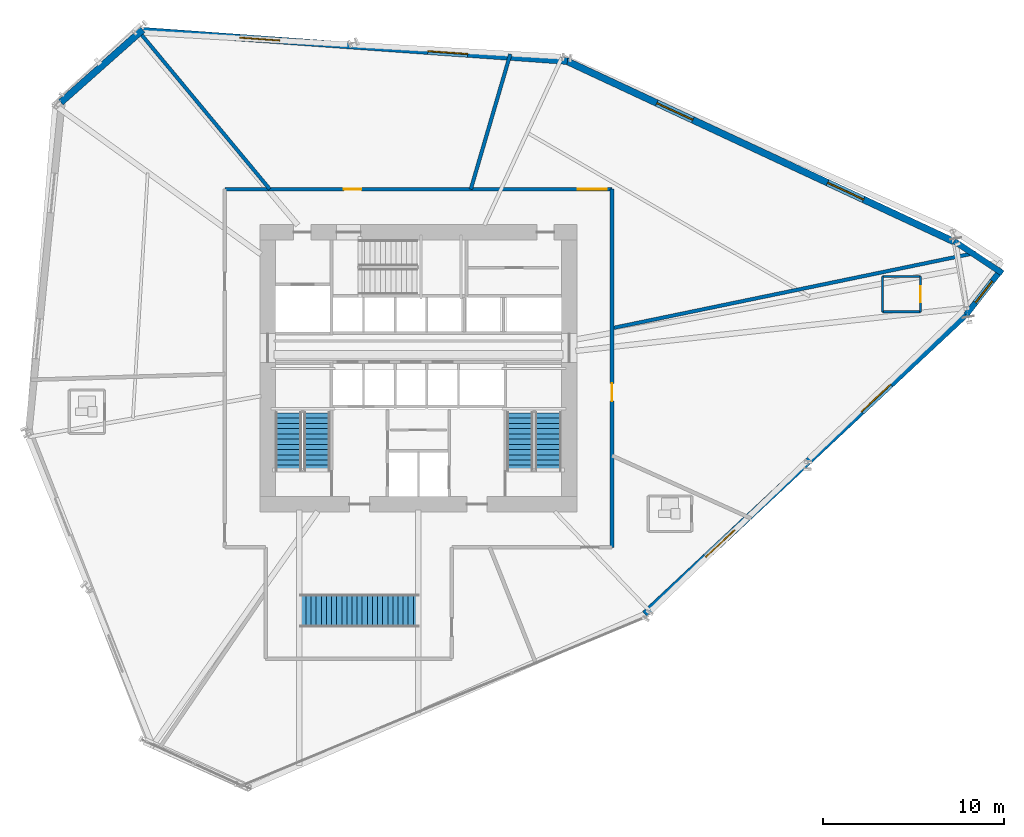
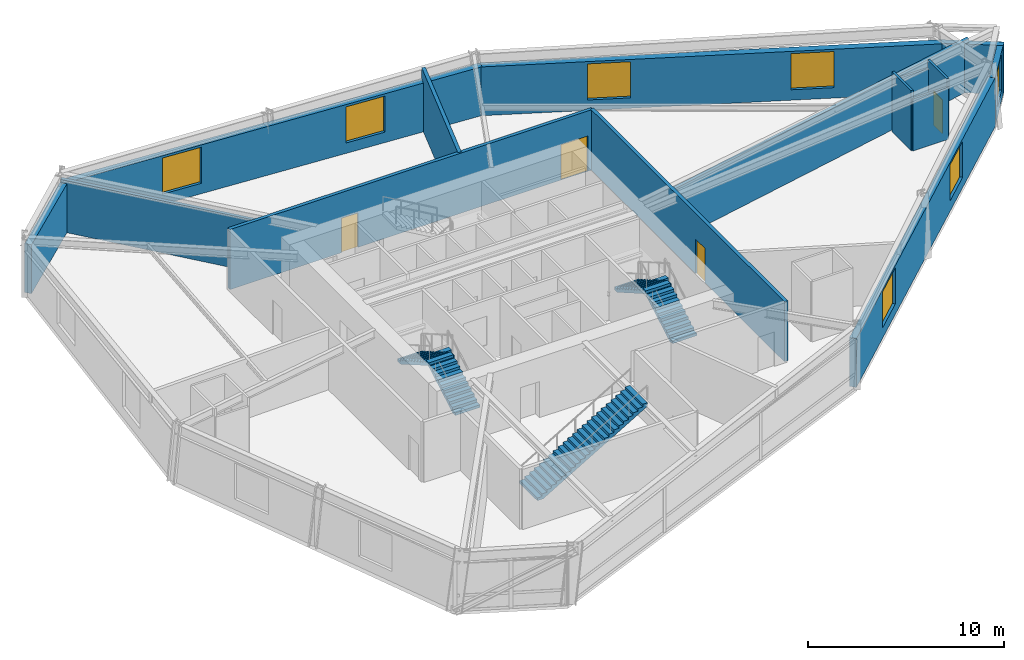
# One storey, part 15 of 19: 15 walls, 7 windows, 5 stair flights, 4 doors, 11 openings, 3 elements without a shape of their own.
"""IFC4 building model written with IfcOpenShell, lengths in metres."""

from ifc_helpers import new_model, si_unit, direction, frame, frame_2d, origin, place, context, subcontext, project, spatial, polyline, rectangle, outline, extrude, source, transform, mapped, material, layer, layer_set, type_object, type_shapes, element, fill, aggregate, save


model = new_model("IFC4")

# Units and contexts
model_context = context("Model", 3, precision=1e-05, world=origin(), true_north=direction((0.0, 1.0)))
body_context = subcontext(model_context, "Body", "Model", "MODEL_VIEW")
ifc_project = project(units=[si_unit("LENGTHUNIT", "METRE"), si_unit("AREAUNIT", "SQUARE_METRE"), si_unit("VOLUMEUNIT", "CUBIC_METRE"), si_unit("PLANEANGLEUNIT", "RADIAN"), si_unit("MASSUNIT", "GRAM", prefix="KILO")], contexts=[model_context])

# Site, building, storey
site_placement = place(None, origin())
site = spatial("IfcSite", under=ifc_project, at=site_placement, CompositionType="ELEMENT")
building_placement = place(site_placement, origin())
building = spatial("IfcBuilding", under=site, at=building_placement, Name="Olszyna Solenne Hotel", CompositionType="ELEMENT")
storey_placement = place(building_placement, frame((0.0, 0.0, 71.89990234375)))
storey = spatial("IfcBuildingStorey", under=building, at=storey_placement, Name="L18", CompositionType="ELEMENT", Elevation=71.89990234375)

# Wall
ifc_material_1 = material(Name="Precast concrete C45/55", Category="concrete")
ifc_layer_1 = layer(ifc_material_1, 0.320068359375, Name="Precast concrete C45/55")
ifc_layer_set_1 = layer_set([ifc_layer_1], Name="Precast concrete C45/55")
wall_type_1 = type_object("IfcWallType", Name="WL-EX320", PredefinedType="SOLIDWALL", material=ifc_layer_set_1)
wall_1_placement = place(storey_placement, frame((67.60791015625, 33.629638671875, 0.0), z_axis=(0.0, 0.0, 1.0), x_axis=(0.831757330832, -0.55513939025, 0.0)))
element("IfcWall", 1, at=wall_1_placement, inside=storey, type_object=wall_type_1, Name="Exterior terracotta-precast frame wall WL-EX320 EW-L18-08", PredefinedType="SOLIDWALL", context=body_context, shape_type="SweptSolid", body=[
    extrude(rectangle(XDim=3.20654296875, YDim=0.320068359375, at=frame_2d((1.603271484375, 0.0))), origin(), (0.0, 0.0, 1.0), 3.0419921875),
])

# Wall, opening, window
wall_2_placement = place(storey_placement, frame((70.23779296875, 32.081298828125, 0.0), z_axis=(0.0, 0.0, 1.0), x_axis=(-0.615310089373, -0.788285160279, 0.0)))
wall_2 = element("IfcWall", 2, at=wall_2_placement, inside=storey, type_object=wall_type_1, Name="Exterior terracotta-precast frame wall WL-EX320 EW-L18-09", PredefinedType="SOLIDWALL", context=body_context, shape_type="SweptSolid", body=[
    extrude(rectangle(XDim=3.206787109375, YDim=0.320068359375, at=frame_2d((1.603515625, 0.0))), origin(), (0.0, 0.0, 1.0), 3.0419921875),
])
opening_1_placement = place(wall_2_placement, frame((0.85302734375, 0.0, 0.6220703125)))
opening_1 = element("IfcOpeningElement", 3, at=opening_1_placement, cuts=wall_2, Name="Opening WN-L18-093", PredefinedType="OPENING", context=body_context, shape_type="SweptSolid", body=[
    extrude(rectangle(XDim=1.5, YDim=2.300048828125, at=frame_2d((0.75, 1.14990234375))), frame((0.0, 0.169921875, 0.0), z_axis=(0.0, -1.0, 0.0), x_axis=(1.0, 0.0, 0.0)), (0.0, 0.0, 1.0), 0.340087890625),
])
ifc_material_2 = material(Name="Low-E triple glazing", Category="glass")
window_type_1 = type_object("IfcWindowType", Name="WN-CH1", PartitioningType="SINGLE_PANEL", PredefinedType="WINDOW", material=ifc_material_2)
shared_shape_1 = source(origin(), body_context, "Body", "SweptSolid", [
    extrude(rectangle(XDim=1.5, YDim=2.300048828125, at=frame_2d((0.75, 1.14990234375))), frame((0.0, 0.030029296875, 0.0), z_axis=(0.0, -1.0, 0.0), x_axis=(1.0, 0.0, 0.0)), (0.0, 0.0, 1.0), 0.06005859375),
])
type_shapes(window_type_1, [shared_shape_1])
window_1_placement = place(opening_1_placement, origin())
window_1 = element("IfcWindow", 4, at=window_1_placement, inside=storey, type_object=window_type_1, Name="Exterior facade window WN-CH1 WN-L18-093", OverallHeight=2.300048828125, OverallWidth=1.5, PartitioningType="SINGLE_PANEL", PredefinedType="WINDOW", context=body_context, shape_type="MappedRepresentation", body=[
    mapped(shared_shape_1, transform((0.0, 0.0, 0.0), x_axis=(1.0, 0.0, 0.0), y_axis=(0.0, 1.0, 0.0), z_axis=(0.0, 0.0, 1.0), scale=1.0)),
])
fill(opening_1, window_1)

# Wall
ifc_material_3 = material(Name="Terracotta cladding on precast concrete C45/55", Category="masonry")
ifc_layer_2 = layer(ifc_material_3, 0.3798828125, Name="Terracotta cladding on precast concrete C45/55")
ifc_layer_set_2 = layer_set([ifc_layer_2], Name="Terracotta cladding on precast concrete C45/55")
wall_type_2 = type_object("IfcWallType", Name="WL-EX380", PredefinedType="SOLIDWALL", material=ifc_layer_set_2)
wall_3_placement = place(storey_placement, frame((18.23583984375, 41.299072265625, 0.0), z_axis=(0.0, 0.0, 1.0), x_axis=(0.747770050528, 0.663957793488, 0.0)))
element("IfcWall", 5, at=wall_3_placement, inside=storey, type_object=wall_type_2, Name="Exterior terracotta-precast frame wall WL-EX380 EW-L18-05", PredefinedType="SOLIDWALL", context=body_context, shape_type="SweptSolid", body=[
    extrude(rectangle(XDim=6.04736328125, YDim=0.3798828125, at=frame_2d((3.023681640625, 0.0))), origin(), (0.0, 0.0, 1.0), 3.0419921875),
])

# Wall, openings, windows
wall_4_placement = place(storey_placement, frame((22.6181640625, 45.266845703125, 0.0), z_axis=(0.0, 0.0, 1.0), x_axis=(0.997450631022, -0.071359923443, 0.0)))
wall_4 = element("IfcWall", 6, at=wall_4_placement, inside=storey, type_object=wall_type_2, Name="Exterior terracotta-precast frame wall WL-EX380 EW-L18-06", PredefinedType="SOLIDWALL", context=body_context, shape_type="SweptSolid", body=[
    extrude(rectangle(XDim=23.671630859375, YDim=0.3798828125, at=frame_2d((11.8359375, 0.0))), origin(), (0.0, 0.0, 1.0), 3.0419921875),
])
opening_2_placement = place(wall_4_placement, frame((5.528076171875, 0.0, 0.64990234375)))
opening_2 = element("IfcOpeningElement", 7, at=opening_2_placement, cuts=wall_4, Name="Opening WN-L18-089", PredefinedType="OPENING", context=body_context, shape_type="SweptSolid", body=[
    extrude(rectangle(XDim=2.199951171875, YDim=2.25, at=frame_2d((1.10009765625, 1.125))), frame((0.0, 0.199951171875, 0.0), z_axis=(0.0, -1.0, 0.0), x_axis=(1.0, 0.0, 0.0)), (0.0, 0.0, 1.0), 0.39990234375),
])
opening_3_placement = place(wall_4_placement, frame((15.944091796875, 0.0, 0.64990234375)))
opening_3 = element("IfcOpeningElement", 8, at=opening_3_placement, cuts=wall_4, Name="Opening WN-L18-090", PredefinedType="OPENING", context=body_context, shape_type="SweptSolid", body=[
    extrude(rectangle(XDim=2.199951171875, YDim=2.25, at=frame_2d((1.10009765625, 1.125))), frame((0.0, 0.199951171875, 0.0), z_axis=(0.0, -1.0, 0.0), x_axis=(1.0, 0.0, 0.0)), (0.0, 0.0, 1.0), 0.39990234375),
])
window_type_2 = type_object("IfcWindowType", Name="WN-HT2", PartitioningType="SINGLE_PANEL", PredefinedType="WINDOW", material=ifc_material_2)
shared_shape_2 = source(origin(), body_context, "Body", "SweptSolid", [
    extrude(rectangle(XDim=2.199951171875, YDim=2.25, at=frame_2d((1.10009765625, 1.125))), frame((0.0, 0.030029296875, 0.0), z_axis=(0.0, -1.0, 0.0), x_axis=(1.0, 0.0, 0.0)), (0.0, 0.0, 1.0), 0.06005859375),
])
type_shapes(window_type_2, [shared_shape_2])
window_2_placement = place(opening_2_placement, origin())
window_2 = element("IfcWindow", 9, at=window_2_placement, inside=storey, type_object=window_type_2, Name="Exterior facade window WN-HT2 WN-L18-089", OverallHeight=2.25, OverallWidth=2.199951171875, PartitioningType="SINGLE_PANEL", PredefinedType="WINDOW", context=body_context, shape_type="MappedRepresentation", body=[
    mapped(shared_shape_2, transform((0.0, 0.0, 0.0), x_axis=(1.0, 0.0, 0.0), y_axis=(0.0, 1.0, 0.0), z_axis=(0.0, 0.0, 1.0), scale=1.0)),
])
fill(opening_2, window_2)
window_3_placement = place(opening_3_placement, origin())
window_3 = element("IfcWindow", 10, at=window_3_placement, inside=storey, type_object=window_type_2, Name="Exterior facade window WN-HT2 WN-L18-090", OverallHeight=2.25, OverallWidth=2.199951171875, PartitioningType="SINGLE_PANEL", PredefinedType="WINDOW", context=body_context, shape_type="MappedRepresentation", body=[
    mapped(shared_shape_2, transform((0.0, 0.0, 0.0), x_axis=(1.0, 0.0, 0.0), y_axis=(0.0, 1.0, 0.0), z_axis=(0.0, 0.0, 1.0), scale=1.0)),
])
fill(opening_3, window_3)

wall_5_placement = place(storey_placement, frame((46.16259765625, 43.594970703125, 0.0), z_axis=(0.0, 0.0, 1.0), x_axis=(0.906302989161, -0.422628550667, 0.0)))
wall_5 = element("IfcWall", 11, at=wall_5_placement, inside=storey, type_object=wall_type_2, Name="Exterior terracotta-precast frame wall WL-EX380 EW-L18-07", PredefinedType="SOLIDWALL", context=body_context, shape_type="SweptSolid", body=[
    extrude(rectangle(XDim=23.671875, YDim=0.3798828125, at=frame_2d((11.8359375, 0.0))), origin(), (0.0, 0.0, 1.0), 3.0419921875),
])
opening_4_placement = place(wall_5_placement, frame((5.528076171875, 0.0, 0.64990234375)))
opening_4 = element("IfcOpeningElement", 12, at=opening_4_placement, cuts=wall_5, Name="Opening WN-L18-091", PredefinedType="OPENING", context=body_context, shape_type="SweptSolid", body=[
    extrude(rectangle(XDim=2.199951171875, YDim=2.25, at=frame_2d((1.10009765625, 1.125))), frame((0.0, 0.199951171875, 0.0), z_axis=(0.0, -1.0, 0.0), x_axis=(1.0, 0.0, 0.0)), (0.0, 0.0, 1.0), 0.39990234375),
])
opening_5_placement = place(wall_5_placement, frame((15.944091796875, 0.0, 0.64990234375)))
opening_5 = element("IfcOpeningElement", 13, at=opening_5_placement, cuts=wall_5, Name="Opening WN-L18-092", PredefinedType="OPENING", context=body_context, shape_type="SweptSolid", body=[
    extrude(rectangle(XDim=2.199951171875, YDim=2.25, at=frame_2d((1.10009765625, 1.125))), frame((0.0, 0.199951171875, 0.0), z_axis=(0.0, -1.0, 0.0), x_axis=(1.0, 0.0, 0.0)), (0.0, 0.0, 1.0), 0.39990234375),
])
window_4_placement = place(opening_4_placement, origin())
window_4 = element("IfcWindow", 14, at=window_4_placement, inside=storey, type_object=window_type_2, Name="Exterior facade window WN-HT2 WN-L18-091", OverallHeight=2.25, OverallWidth=2.199951171875, PartitioningType="SINGLE_PANEL", PredefinedType="WINDOW", context=body_context, shape_type="MappedRepresentation", body=[
    mapped(shared_shape_2, transform((0.0, 0.0, 0.0), x_axis=(1.0, 0.0, 0.0), y_axis=(0.0, 1.0, 0.0), z_axis=(0.0, 0.0, 1.0), scale=1.0)),
])
fill(opening_4, window_4)
window_5_placement = place(opening_5_placement, origin())
window_5 = element("IfcWindow", 15, at=window_5_placement, inside=storey, type_object=window_type_2, Name="Exterior facade window WN-HT2 WN-L18-092", OverallHeight=2.25, OverallWidth=2.199951171875, PartitioningType="SINGLE_PANEL", PredefinedType="WINDOW", context=body_context, shape_type="MappedRepresentation", body=[
    mapped(shared_shape_2, transform((0.0, 0.0, 0.0), x_axis=(1.0, 0.0, 0.0), y_axis=(0.0, 1.0, 0.0), z_axis=(0.0, 0.0, 1.0), scale=1.0)),
])
fill(opening_5, window_5)

wall_6_placement = place(storey_placement, frame((68.260986328125, 29.593994140625, 0.0), z_axis=(0.0, 0.0, 1.0), x_axis=(-0.730910825088, -0.682472978051, 0.0)))
wall_6 = element("IfcWall", 16, at=wall_6_placement, inside=storey, type_object=wall_type_2, Name="Exterior terracotta-precast frame wall WL-EX380 EW-L18-10", PredefinedType="SOLIDWALL", context=body_context, shape_type="SweptSolid", body=[
    extrude(rectangle(XDim=24.2841796875, YDim=0.3798828125, at=frame_2d((12.14208984375, 0.0))), origin(), (0.0, 0.0, 1.0), 3.0419921875),
])
opening_6_placement = place(wall_6_placement, frame((5.699951171875, 0.0, 0.64990234375)))
opening_6 = element("IfcOpeningElement", 17, at=opening_6_placement, cuts=wall_6, Name="Opening WN-L18-094", PredefinedType="OPENING", context=body_context, shape_type="SweptSolid", body=[
    extrude(rectangle(XDim=2.199951171875, YDim=2.25, at=frame_2d((1.10009765625, 1.125))), frame((0.0, 0.199951171875, 0.0), z_axis=(0.0, -1.0, 0.0), x_axis=(1.0, 0.0, 0.0)), (0.0, 0.0, 1.0), 0.39990234375),
])
opening_7_placement = place(wall_6_placement, frame((17.485107421875, 0.0, 0.64990234375)))
opening_7 = element("IfcOpeningElement", 18, at=opening_7_placement, cuts=wall_6, Name="Opening WN-L18-095", PredefinedType="OPENING", context=body_context, shape_type="SweptSolid", body=[
    extrude(rectangle(XDim=2.199951171875, YDim=2.25, at=frame_2d((1.10009765625, 1.125))), frame((0.0, 0.199951171875, 0.0), z_axis=(0.0, -1.0, 0.0), x_axis=(1.0, 0.0, 0.0)), (0.0, 0.0, 1.0), 0.39990234375),
])
window_6_placement = place(opening_6_placement, origin())
window_6 = element("IfcWindow", 19, at=window_6_placement, inside=storey, type_object=window_type_2, Name="Exterior facade window WN-HT2 WN-L18-094", OverallHeight=2.25, OverallWidth=2.199951171875, PartitioningType="SINGLE_PANEL", PredefinedType="WINDOW", context=body_context, shape_type="MappedRepresentation", body=[
    mapped(shared_shape_2, transform((0.0, 0.0, 0.0), x_axis=(1.0, 0.0, 0.0), y_axis=(0.0, 1.0, 0.0), z_axis=(0.0, 0.0, 1.0), scale=1.0)),
])
fill(opening_6, window_6)
window_7_placement = place(opening_7_placement, origin())
window_7 = element("IfcWindow", 20, at=window_7_placement, inside=storey, type_object=window_type_2, Name="Exterior facade window WN-HT2 WN-L18-095", OverallHeight=2.25, OverallWidth=2.199951171875, PartitioningType="SINGLE_PANEL", PredefinedType="WINDOW", context=body_context, shape_type="MappedRepresentation", body=[
    mapped(shared_shape_2, transform((0.0, 0.0, 0.0), x_axis=(1.0, 0.0, 0.0), y_axis=(0.0, 1.0, 0.0), z_axis=(0.0, 0.0, 1.0), scale=1.0)),
])
fill(opening_7, window_7)

# Wall, opening, door
ifc_material_4 = material(Name="Acoustic gypsum partition", Category="gypsum")
ifc_layer_3 = layer(ifc_material_4, 0.125, Name="Acoustic gypsum partition")
ifc_layer_set_3 = layer_set([ifc_layer_3], Name="Acoustic gypsum partition")
wall_type_3 = type_object("IfcWallType", Name="WL-PT125", PredefinedType="PARTITIONING", material=ifc_layer_set_3)
wall_7_placement = place(storey_placement, frame((65.748046875, 29.718994140625, 0.0), z_axis=(0.0, 0.0, 1.0), x_axis=(0.0, 1.0, 0.0)))
wall_7 = element("IfcWall", 21, at=wall_7_placement, inside=storey, type_object=wall_type_3, Name="Interior acoustic partition WL-PT125 PW-L18-1039", PredefinedType="PARTITIONING", context=body_context, shape_type="SweptSolid", body=[
    extrude(rectangle(XDim=1.949951171875, YDim=0.125, at=frame_2d((0.97509765625, 0.0))), origin(), (0.0, 0.0, 1.0), 3.75),
])
opening_8_placement = place(wall_7_placement, frame((0.52490234375, 0.0, 0.0)))
opening_8 = element("IfcOpeningElement", 22, at=opening_8_placement, cuts=wall_7, Name="Opening DR-L18-0237", PredefinedType="OPENING", context=body_context, shape_type="SweptSolid", body=[
    extrude(rectangle(XDim=0.89990234375, YDim=2.10009765625, at=frame_2d((0.449951171875, 1.050048828125))), frame((0.0, 0.072509765625, 0.0), z_axis=(0.0, -1.0, 0.0), x_axis=(1.0, 0.0, 0.0)), (0.0, 0.0, 1.0), 0.14501953125),
])
ifc_material_5 = material(Name="Timber hardwood", Category="wood")
door_type_1 = type_object("IfcDoorType", Name="DR-WC1", OperationType="NOTDEFINED", PredefinedType="DOOR", material=ifc_material_5)
shared_shape_3 = source(origin(), body_context, "Body", "SweptSolid", [
    extrude(rectangle(XDim=0.89990234375, YDim=2.10009765625, at=frame_2d((0.449951171875, 1.050048828125))), frame((0.0, 0.02490234375, 0.0), z_axis=(0.0, -1.0, 0.0), x_axis=(1.0, 0.0, 0.0)), (0.0, 0.0, 1.0), 0.050048828125),
])
type_shapes(door_type_1, [shared_shape_3])
door_1_placement = place(opening_8_placement, origin())
door_1 = element("IfcDoor", 23, at=door_1_placement, inside=storey, type_object=door_type_1, Name="En-Suite Bathroom Door DR-L18-0237", OperationType="SINGLE_SWING_LEFT", OverallHeight=2.10009765625, OverallWidth=0.89990234375, PredefinedType="DOOR", context=body_context, shape_type="MappedRepresentation", body=[
    mapped(shared_shape_3, transform((0.0, 0.0, 0.0), x_axis=(1.0, 0.0, 0.0), y_axis=(0.0, 1.0, 0.0), z_axis=(0.0, 0.0, 1.0), scale=1.0)),
])
fill(opening_8, door_1)

# Walls
wall_8_placement = place(storey_placement, frame((65.748046875, 31.6689453125, 0.0), z_axis=(0.0, 0.0, 1.0), x_axis=(-1.0, 0.0, 0.0)))
element("IfcWall", 24, at=wall_8_placement, inside=storey, type_object=wall_type_3, Name="Interior acoustic partition WL-PT125 PW-L18-1040", PredefinedType="PARTITIONING", context=body_context, shape_type="SweptSolid", body=[
    extrude(rectangle(XDim=2.10009765625, YDim=0.125, at=frame_2d((1.050048828125, 0.0))), origin(), (0.0, 0.0, 1.0), 3.2451171875),
])
wall_9_placement = place(storey_placement, frame((63.64794921875, 31.6689453125, 0.0), z_axis=(0.0, 0.0, 1.0), x_axis=(0.0, -1.0, 0.0)))
element("IfcWall", 25, at=wall_9_placement, inside=storey, type_object=wall_type_3, Name="Interior acoustic partition WL-PT125 PW-L18-1041", PredefinedType="PARTITIONING", context=body_context, shape_type="SweptSolid", body=[
    extrude(rectangle(XDim=1.949951171875, YDim=0.125, at=frame_2d((0.97509765625, 0.0))), origin(), (0.0, 0.0, 1.0), 3.75),
])
wall_10_placement = place(storey_placement, frame((63.64794921875, 29.718994140625, 0.0), z_axis=(0.0, 0.0, 1.0), x_axis=(1.0, 0.0, 0.0)))
element("IfcWall", 26, at=wall_10_placement, inside=storey, type_object=wall_type_3, Name="Interior acoustic partition WL-PT125 PW-L18-1042", PredefinedType="PARTITIONING", context=body_context, shape_type="SweptSolid", body=[
    extrude(rectangle(XDim=2.10009765625, YDim=0.125, at=frame_2d((1.050048828125, 0.0))), origin(), (0.0, 0.0, 1.0), 3.2451171875),
])
ifc_layer_4 = layer(ifc_material_4, 0.199951171875, Name="Acoustic gypsum partition")
ifc_layer_set_4 = layer_set([ifc_layer_4], Name="Acoustic gypsum partition")
wall_type_4 = type_object("IfcWallType", Name="WL-PT200", PredefinedType="PARTITIONING", material=ifc_layer_set_4)
wall_11_placement = place(storey_placement, frame((48.699951171875, 28.81591796875, 0.0), z_axis=(0.0, 0.0, 1.0), x_axis=(0.979223566827, 0.202783643746, 0.0)))
element("IfcWall", 27, at=wall_11_placement, inside=storey, type_object=wall_type_4, Name="Interior acoustic partition WL-PT200 PW-L18-1024", PredefinedType="PARTITIONING", context=body_context, shape_type="SweptSolid", body=[
    extrude(rectangle(XDim=20.54052734375, YDim=0.199951171875, at=frame_2d((10.270263671875, 0.0))), origin(), (0.0, 0.0, 1.0), 3.2451171875),
])
wall_12_placement = place(storey_placement, frame((40.89501953125, 36.5, 0.0), z_axis=(0.0, 0.0, 1.0), x_axis=(0.280658217251, 0.959807775072, 0.0)))
element("IfcWall", 28, at=wall_12_placement, inside=storey, type_object=wall_type_4, Name="Interior acoustic partition WL-PT200 PW-L18-1025", PredefinedType="PARTITIONING", context=body_context, shape_type="SweptSolid", body=[
    extrude(rectangle(XDim=7.77587890625, YDim=0.199951171875, at=frame_2d((3.887939453125, 0.0))), origin(), (0.0, 0.0, 1.0), 3.75),
])
wall_13_placement = place(storey_placement, frame((29.781005859375, 36.5, 0.0), z_axis=(0.0, 0.0, 1.0), x_axis=(-0.638776626614, 0.769392241507, 0.0)))
element("IfcWall", 29, at=wall_13_placement, inside=storey, type_object=wall_type_4, Name="Interior acoustic partition WL-PT200 PW-L18-1026", PredefinedType="PARTITIONING", context=body_context, shape_type="SweptSolid", body=[
    extrude(rectangle(XDim=11.42041015625, YDim=0.199951171875, at=frame_2d((5.710205078125, 0.0))), origin(), (0.0, 0.0, 1.0), 3.2451171875),
])

# Wall, openings, doors
wall_14_placement = place(storey_placement, frame((27.300048828125, 36.5, 0.0), z_axis=(0.0, 0.0, 1.0), x_axis=(1.0, 0.0, 0.0)))
wall_14 = element("IfcWall", 30, at=wall_14_placement, inside=storey, type_object=wall_type_4, Name="Interior acoustic partition WL-PT200 PW-L18-1046", PredefinedType="PARTITIONING", context=body_context, shape_type="SweptSolid", body=[
    extrude(rectangle(XDim=21.39990234375, YDim=0.199951171875, at=frame_2d((10.699951171875, 0.0))), origin(), (0.0, 0.0, 1.0), 3.75),
])
opening_9_placement = place(wall_14_placement, frame((19.5, 0.0, 0.0)))
opening_9 = element("IfcOpeningElement", 31, at=opening_9_placement, cuts=wall_14, Name="Opening DR-L18-0241", PredefinedType="OPENING", context=body_context, shape_type="SweptSolid", body=[
    extrude(rectangle(XDim=1.60009765625, YDim=2.199951171875, at=frame_2d((0.800048828125, 1.10009765625))), frame((0.0, 0.10986328125, 0.0), z_axis=(0.0, -1.0, 0.0), x_axis=(1.0, 0.0, 0.0)), (0.0, 0.0, 1.0), 0.219970703125),
])
opening_10_placement = place(wall_14_placement, frame((6.572021484375, 0.0, 0.0)))
opening_10 = element("IfcOpeningElement", 32, at=opening_10_placement, cuts=wall_14, Name="Opening DR-L18-0242", PredefinedType="OPENING", context=body_context, shape_type="SweptSolid", body=[
    extrude(rectangle(XDim=0.97998046875, YDim=2.14990234375, at=frame_2d((0.489990234375, 1.074951171875))), frame((0.0, 0.10986328125, 0.0), z_axis=(0.0, -1.0, 0.0), x_axis=(1.0, 0.0, 0.0)), (0.0, 0.0, 1.0), 0.219970703125),
])
door_type_2 = type_object("IfcDoorType", Name="DR-CR1", OperationType="DOUBLE_DOOR_SINGLE_SWING", PredefinedType="DOOR", material=ifc_material_5)
shared_shape_4 = source(origin(), body_context, "Body", "SweptSolid", [
    extrude(rectangle(XDim=1.60009765625, YDim=2.199951171875, at=frame_2d((0.800048828125, 1.10009765625))), frame((0.0, 0.02490234375, 0.0), z_axis=(0.0, -1.0, 0.0), x_axis=(1.0, 0.0, 0.0)), (0.0, 0.0, 1.0), 0.050048828125),
])
type_shapes(door_type_2, [shared_shape_4])
door_2_placement = place(opening_9_placement, origin())
door_2 = element("IfcDoor", 33, at=door_2_placement, inside=storey, type_object=door_type_2, Name="Winter Sky Garden Conservatory Entrance Door DR-L18-0241", OperationType="DOUBLE_DOOR_SINGLE_SWING", OverallHeight=2.199951171875, OverallWidth=1.60009765625, PredefinedType="DOOR", context=body_context, shape_type="MappedRepresentation", body=[
    mapped(shared_shape_4, transform((0.0, 0.0, 0.0), x_axis=(1.0, 0.0, 0.0), y_axis=(0.0, 1.0, 0.0), z_axis=(0.0, 0.0, 1.0), scale=1.0)),
])
fill(opening_9, door_2)
door_type_3 = type_object("IfcDoorType", Name="DR-RM1", OperationType="NOTDEFINED", PredefinedType="DOOR", material=ifc_material_5)
shared_shape_5 = source(origin(), body_context, "Body", "SweptSolid", [
    extrude(rectangle(XDim=0.97998046875, YDim=2.14990234375, at=frame_2d((0.489990234375, 1.074951171875))), frame((0.0, 0.02490234375, 0.0), z_axis=(0.0, -1.0, 0.0), x_axis=(1.0, 0.0, 0.0)), (0.0, 0.0, 1.0), 0.050048828125),
])
type_shapes(door_type_3, [shared_shape_5])
door_3_placement = place(opening_10_placement, origin())
door_3 = element("IfcDoor", 34, at=door_3_placement, inside=storey, type_object=door_type_3, Name="Sky Lobby Lounge Entrance Door DR-L18-0242", OperationType="SINGLE_SWING_RIGHT", OverallHeight=2.14990234375, OverallWidth=0.97998046875, PredefinedType="DOOR", context=body_context, shape_type="MappedRepresentation", body=[
    mapped(shared_shape_5, transform((0.0, 0.0, 0.0), x_axis=(1.0, 0.0, 0.0), y_axis=(0.0, 1.0, 0.0), z_axis=(0.0, 0.0, 1.0), scale=1.0)),
])
fill(opening_10, door_3)

# Wall, opening, door
wall_15_placement = place(storey_placement, frame((48.699951171875, 16.699951171875, 0.0), z_axis=(0.0, 0.0, 1.0), x_axis=(0.0, 1.0, 0.0)))
wall_15 = element("IfcWall", 35, at=wall_15_placement, inside=storey, type_object=wall_type_4, Name="Interior acoustic partition WL-PT200 PW-L18-1047", PredefinedType="PARTITIONING", context=body_context, shape_type="SweptSolid", body=[
    extrude(rectangle(XDim=19.800048828125, YDim=0.199951171875, at=frame_2d((9.89990234375, 0.0))), origin(), (0.0, 0.0, 1.0), 3.75),
])
opening_11_placement = place(wall_15_placement, frame((8.090087890625, 0.0, 0.0)))
opening_11 = element("IfcOpeningElement", 36, at=opening_11_placement, cuts=wall_15, Name="Opening DR-L18-0243", PredefinedType="OPENING", context=body_context, shape_type="SweptSolid", body=[
    extrude(rectangle(XDim=0.97998046875, YDim=2.14990234375, at=frame_2d((0.489990234375, 1.074951171875))), frame((0.0, 0.10986328125, 0.0), z_axis=(0.0, -1.0, 0.0), x_axis=(1.0, 0.0, 0.0)), (0.0, 0.0, 1.0), 0.219970703125),
])
door_4_placement = place(opening_11_placement, origin())
door_4 = element("IfcDoor", 37, at=door_4_placement, inside=storey, type_object=door_type_3, Name="Executive Reading Salon Entrance Door DR-L18-0243", OperationType="SINGLE_SWING_LEFT", OverallHeight=2.14990234375, OverallWidth=0.97998046875, PredefinedType="DOOR", context=body_context, shape_type="MappedRepresentation", body=[
    mapped(shared_shape_5, transform((0.0, 0.0, 0.0), x_axis=(1.0, 0.0, 0.0), y_axis=(0.0, 1.0, 0.0), z_axis=(0.0, 0.0, 1.0), scale=1.0)),
])
fill(opening_11, door_4)

# Stair, stair flights
ifc_material_6 = material(Name="Concrete C40/50", Category="concrete")
stair_type_1 = type_object("IfcStairType", Name="STR-C1", PredefinedType="TWO_QUARTER_WINDING_STAIR", material=ifc_material_6)
stair_1_placement = place(storey_placement, origin())
stair_1 = element("IfcStair", 38, at=stair_1_placement, inside=storey, type_object=stair_type_1, Name="L18 ST1", PredefinedType="TWO_QUARTER_WINDING_STAIR")
stair_flight_type_1 = type_object("IfcStairFlightType", Name="FLT-C1", PredefinedType="STRAIGHT", material=ifc_material_6)
stair_flight_1_placement = place(storey_placement, frame((32.39501953125, 20.949951171875, 0.0), z_axis=(0.0, 0.0, 1.0), x_axis=(0.0, 1.0, 0.0)))
stair_flight_1 = element("IfcStairFlight", 39, at=stair_flight_1_placement, type_object=stair_flight_type_1, Name="ST1 flight 1", NumberOfRisers=12, NumberOfTreads=11, PredefinedType="STRAIGHT", RiserHeight=0.166666667, TreadLength=0.29, context=body_context, shape_type="SweptSolid", body=[
    extrude(outline(polyline([(0.0, 0.0), (0.0, 0.166748046875), (0.2900390625, 0.166748046875), (0.2900390625, 0.333251953125), (0.580078125, 0.333251953125), (0.580078125, 0.5), (0.8701171875, 0.5), (0.8701171875, 0.666748046875), (1.159912109375, 0.666748046875), (1.159912109375, 0.833251953125), (1.449951171875, 0.833251953125), (1.449951171875, 1.0), (1.739990234375, 1.0), (1.739990234375, 1.166748046875), (2.030029296875, 1.166748046875), (2.030029296875, 1.333251953125), (2.320068359375, 1.333251953125), (2.320068359375, 1.5), (2.610107421875, 1.5), (2.610107421875, 1.666748046875), (2.89990234375, 1.666748046875), (2.89990234375, 1.833251953125), (3.18994140625, 1.833251953125), (3.18994140625, 2.0), (3.18994140625, 1.660400390625), (0.30078125, 0.0), (0.0, 0.0)])), frame((0.0, 0.72509765625, 0.0), z_axis=(0.0, -1.0, 0.0), x_axis=(1.0, 0.0, 0.0)), (0.0, 0.0, 1.0), 1.449951171875),
])
stair_flight_2_placement = place(storey_placement, frame((30.824951171875, 24.139892578125, 2.0), z_axis=(0.0, 0.0, 1.0), x_axis=(0.0, -1.0, 0.0)))
stair_flight_2 = element("IfcStairFlight", 40, at=stair_flight_2_placement, type_object=stair_flight_type_1, Name="ST1 flight 2", NumberOfRisers=12, NumberOfTreads=11, PredefinedType="STRAIGHT", RiserHeight=0.166666667, TreadLength=0.29, context=body_context, shape_type="SweptSolid", body=[
    extrude(outline(polyline([(0.0, 0.0), (0.0, 0.166748046875), (0.2900390625, 0.166748046875), (0.2900390625, 0.333251953125), (0.580078125, 0.333251953125), (0.580078125, 0.5), (0.8701171875, 0.5), (0.8701171875, 0.666748046875), (1.159912109375, 0.666748046875), (1.159912109375, 0.833251953125), (1.449951171875, 0.833251953125), (1.449951171875, 1.0), (1.739990234375, 1.0), (1.739990234375, 1.166748046875), (2.030029296875, 1.166748046875), (2.030029296875, 1.333251953125), (2.320068359375, 1.333251953125), (2.320068359375, 1.5), (2.610107421875, 1.5), (2.610107421875, 1.666748046875), (2.89990234375, 1.666748046875), (2.89990234375, 1.833251953125), (3.18994140625, 1.833251953125), (3.18994140625, 2.0), (3.18994140625, 1.660400390625), (0.30078125, 0.0), (0.0, 0.0)])), frame((0.0, 0.72509765625, 0.0), z_axis=(0.0, -1.0, 0.0), x_axis=(1.0, 0.0, 0.0)), (0.0, 0.0, 1.0), 1.449951171875),
])
aggregate(stair_1, [stair_flight_1, stair_flight_2])

stair_2_placement = place(storey_placement, origin())
stair_2 = element("IfcStair", 41, at=stair_2_placement, inside=storey, type_object=stair_type_1, Name="L18 ST2", PredefinedType="TWO_QUARTER_WINDING_STAIR")
stair_flight_3_placement = place(storey_placement, frame((45.175048828125, 20.949951171875, 0.0), z_axis=(0.0, 0.0, 1.0), x_axis=(0.0, 1.0, 0.0)))
stair_flight_3 = element("IfcStairFlight", 42, at=stair_flight_3_placement, type_object=stair_flight_type_1, Name="ST2 flight 1", NumberOfRisers=12, NumberOfTreads=11, PredefinedType="STRAIGHT", RiserHeight=0.166666667, TreadLength=0.29, context=body_context, shape_type="SweptSolid", body=[
    extrude(outline(polyline([(0.0, 0.0), (0.0, 0.166748046875), (0.2900390625, 0.166748046875), (0.2900390625, 0.333251953125), (0.580078125, 0.333251953125), (0.580078125, 0.5), (0.8701171875, 0.5), (0.8701171875, 0.666748046875), (1.159912109375, 0.666748046875), (1.159912109375, 0.833251953125), (1.449951171875, 0.833251953125), (1.449951171875, 1.0), (1.739990234375, 1.0), (1.739990234375, 1.166748046875), (2.030029296875, 1.166748046875), (2.030029296875, 1.333251953125), (2.320068359375, 1.333251953125), (2.320068359375, 1.5), (2.610107421875, 1.5), (2.610107421875, 1.666748046875), (2.89990234375, 1.666748046875), (2.89990234375, 1.833251953125), (3.18994140625, 1.833251953125), (3.18994140625, 2.0), (3.18994140625, 1.660400390625), (0.30078125, 0.0), (0.0, 0.0)])), frame((0.0, 0.72509765625, 0.0), z_axis=(0.0, -1.0, 0.0), x_axis=(1.0, 0.0, 0.0)), (0.0, 0.0, 1.0), 1.449951171875),
])
stair_flight_4_placement = place(storey_placement, frame((43.60498046875, 24.139892578125, 2.0), z_axis=(0.0, 0.0, 1.0), x_axis=(0.0, -1.0, 0.0)))
stair_flight_4 = element("IfcStairFlight", 43, at=stair_flight_4_placement, type_object=stair_flight_type_1, Name="ST2 flight 2", NumberOfRisers=12, NumberOfTreads=11, PredefinedType="STRAIGHT", RiserHeight=0.166666667, TreadLength=0.29, context=body_context, shape_type="SweptSolid", body=[
    extrude(outline(polyline([(0.0, 0.0), (0.0, 0.166748046875), (0.2900390625, 0.166748046875), (0.2900390625, 0.333251953125), (0.580078125, 0.333251953125), (0.580078125, 0.5), (0.8701171875, 0.5), (0.8701171875, 0.666748046875), (1.159912109375, 0.666748046875), (1.159912109375, 0.833251953125), (1.449951171875, 0.833251953125), (1.449951171875, 1.0), (1.739990234375, 1.0), (1.739990234375, 1.166748046875), (2.030029296875, 1.166748046875), (2.030029296875, 1.333251953125), (2.320068359375, 1.333251953125), (2.320068359375, 1.5), (2.610107421875, 1.5), (2.610107421875, 1.666748046875), (2.89990234375, 1.666748046875), (2.89990234375, 1.833251953125), (3.18994140625, 1.833251953125), (3.18994140625, 2.0), (3.18994140625, 1.660400390625), (0.30078125, 0.0), (0.0, 0.0)])), frame((0.0, 0.72509765625, 0.0), z_axis=(0.0, -1.0, 0.0), x_axis=(1.0, 0.0, 0.0)), (0.0, 0.0, 1.0), 1.449951171875),
])
aggregate(stair_2, [stair_flight_3, stair_flight_4])

# Stair, stair flight
stair_type_2 = type_object("IfcStairType", Name="STR-SG1", PredefinedType="STRAIGHT_RUN_STAIR", material=ifc_material_6)
stair_3_placement = place(storey_placement, origin())
stair_3 = element("IfcStair", 44, at=stair_3_placement, inside=storey, type_object=stair_type_2, Name="Feature straight architectural stair FS-02", PredefinedType="STRAIGHT_RUN_STAIR")
stair_flight_type_2 = type_object("IfcStairFlightType", Name="FLT-SG1", PredefinedType="STRAIGHT", material=ifc_material_6)
stair_flight_5_placement = place(storey_placement, frame((31.500244140625, 13.199951171875, 0.0), z_axis=(0.0, 0.0, 1.0), x_axis=(1.0, 0.0, 0.0)))
stair_flight_5 = element("IfcStairFlight", 45, at=stair_flight_5_placement, type_object=stair_flight_type_2, Name="Feature stair flight FS-02-FL1", NumberOfRisers=24, NumberOfTreads=23, PredefinedType="STRAIGHT", RiserHeight=0.166667, TreadLength=0.2826, context=body_context, shape_type="SweptSolid", body=[
    extrude(outline(polyline([(0.0, 0.0), (0.0, 0.166748046875), (0.28271484375, 0.166748046875), (0.28271484375, 0.333251953125), (0.565185546875, 0.333251953125), (0.565185546875, 0.5), (0.847900390625, 0.5), (0.847900390625, 0.666748046875), (1.13037109375, 0.666748046875), (1.13037109375, 0.833251953125), (1.4130859375, 0.833251953125), (1.4130859375, 1.0), (1.695556640625, 1.0), (1.695556640625, 1.166748046875), (1.978271484375, 1.166748046875), (1.978271484375, 1.333251953125), (2.2607421875, 1.333251953125), (2.2607421875, 1.5), (2.54345703125, 1.5), (2.54345703125, 1.666748046875), (2.825927734375, 1.666748046875), (2.825927734375, 1.833251953125), (3.108642578125, 1.833251953125), (3.108642578125, 2.0), (3.39111328125, 2.0), (3.39111328125, 2.166748046875), (3.673828125, 2.166748046875), (3.673828125, 2.333251953125), (3.956298828125, 2.333251953125), (3.956298828125, 2.5), (4.239013671875, 2.5), (4.239013671875, 2.666748046875), (4.521484375, 2.666748046875), (4.521484375, 2.833251953125), (4.80419921875, 2.833251953125), (4.80419921875, 3.0), (5.0869140625, 3.0), (5.0869140625, 3.166748046875), (5.369384765625, 3.166748046875), (5.369384765625, 3.333251953125), (5.652099609375, 3.333251953125), (5.652099609375, 3.5), (5.9345703125, 3.5), (5.9345703125, 3.666748046875), (6.21728515625, 3.666748046875), (6.21728515625, 3.833251953125), (6.499755859375, 3.833251953125), (6.499755859375, 4.0), (6.499755859375, 3.62451171875), (0.354248046875, 0.0), (0.0, 0.0)])), frame((0.0, 0.89990234375, 0.0), z_axis=(0.0, -1.0, 0.0), x_axis=(1.0, 0.0, 0.0)), (0.0, 0.0, 1.0), 1.800048828125),
])
aggregate(stair_3, [stair_flight_5])

save(model, "model.ifc")
